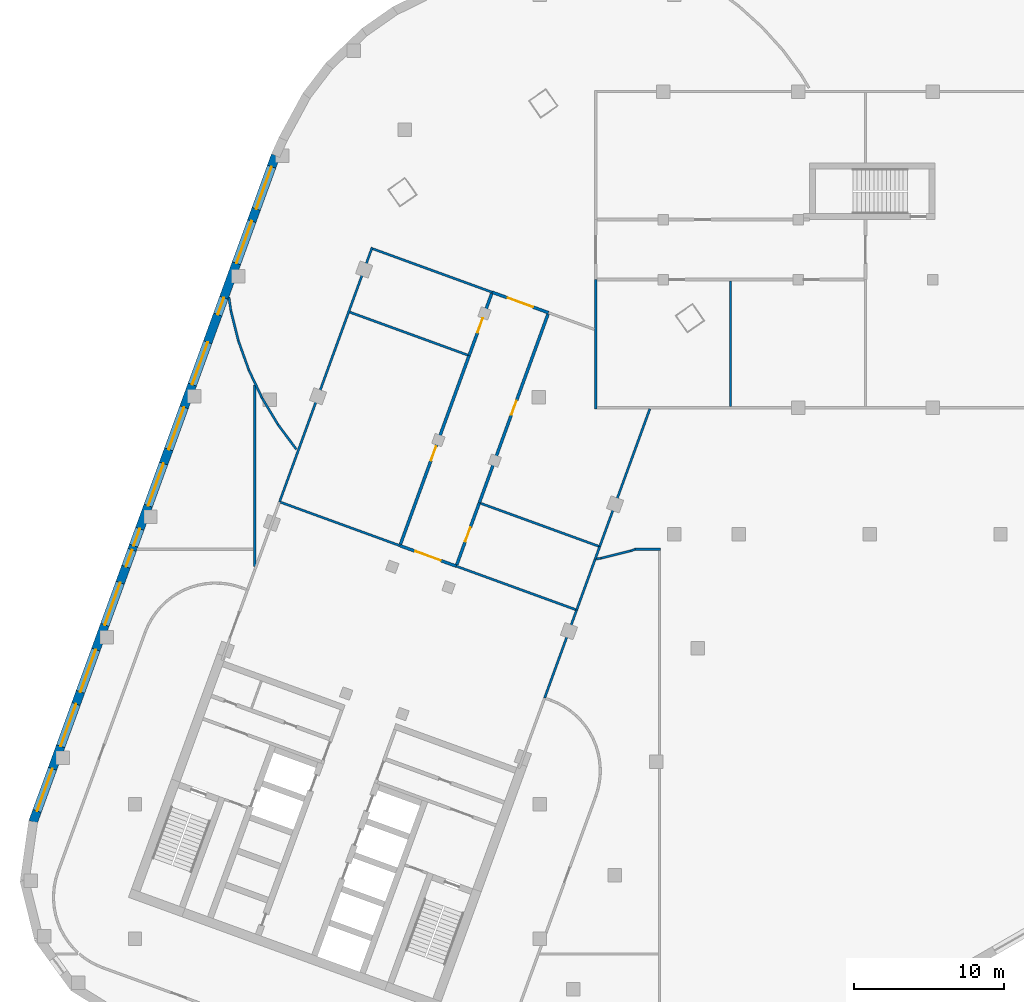
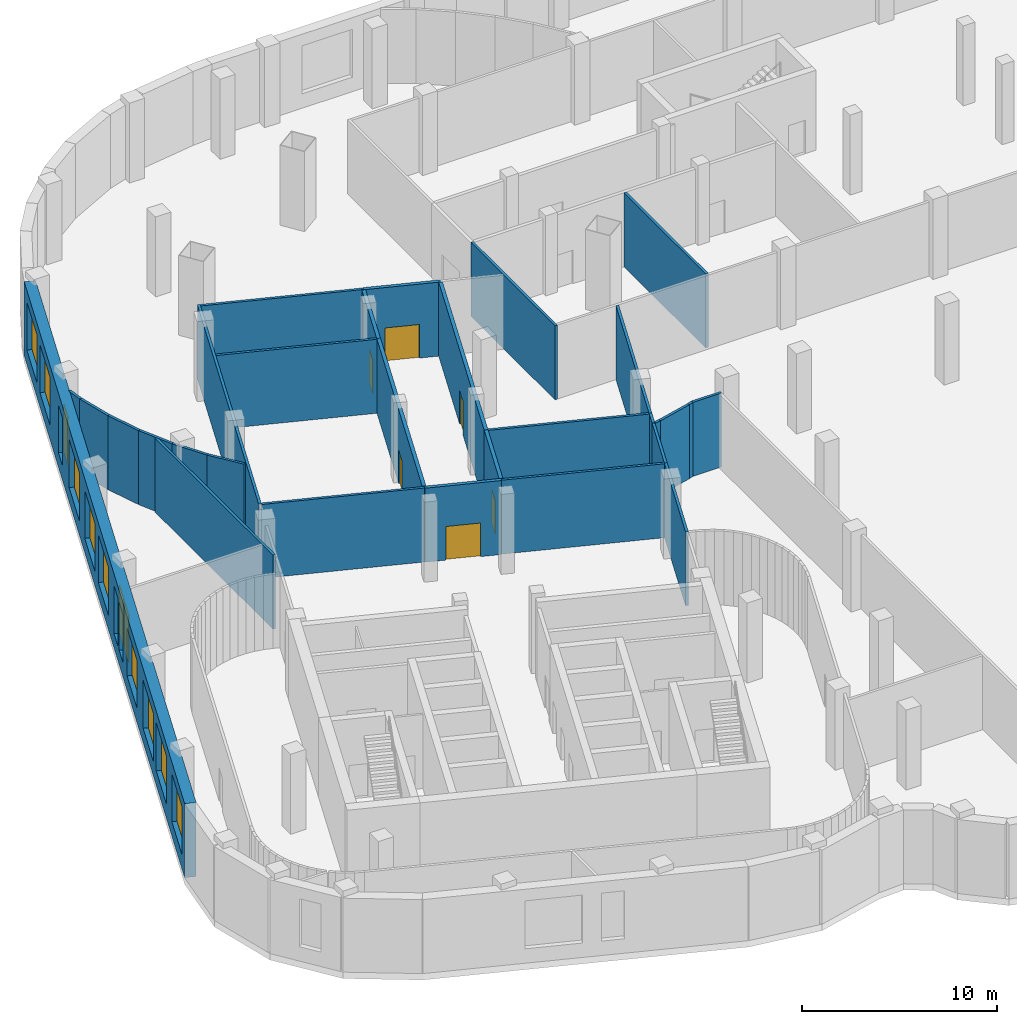
# One storey, part 6 of 18: 30 walls, 12 windows, 6 doors, 18 openings.
"""IFC4 building model written with IfcOpenShell, lengths in metres."""

from ifc_helpers import new_model, si_unit, direction, frame, frame_2d, origin, place, context, subcontext, project, spatial, rectangle, extrude, material, layer, layer_set, type_object, element, fill, save


model = new_model("IFC4")

# Units and contexts
model_context = context("Model", 3, precision=1e-05, world=origin(), true_north=direction((0.0, 1.0)))
body_context = subcontext(model_context, "Body", "Model", "MODEL_VIEW")
ifc_project = project(units=[si_unit("LENGTHUNIT", "METRE"), si_unit("AREAUNIT", "SQUARE_METRE"), si_unit("VOLUMEUNIT", "CUBIC_METRE"), si_unit("PLANEANGLEUNIT", "RADIAN"), si_unit("MASSUNIT", "GRAM", prefix="KILO")], contexts=[model_context])

# Site, building, storey
site_placement = place(None, origin())
site = spatial("IfcSite", under=ifc_project, at=site_placement, CompositionType="ELEMENT")
building_placement = place(site_placement, origin())
building = spatial("IfcBuilding", under=site, at=building_placement, Name="Skarvind Civic Tower", CompositionType="ELEMENT")
storey_placement = place(building_placement, frame((0.0, 0.0, 22.5)))
storey = spatial("IfcBuildingStorey", under=building, at=storey_placement, Name="L04", CompositionType="ELEMENT", Elevation=22.5)

# Wall, opening, door
ifc_material_1 = material(Name="Fire-rated blockwork wall, plastered", Category="masonry")
ifc_layer_1 = layer(ifc_material_1, 0.199951171875)
ifc_layer_set_1 = layer_set([ifc_layer_1], Name="FIRE WALL 200 EI 60")
wall_type_1 = type_object("IfcWallType", Name="FIRE WALL 200 EI 60", PredefinedType="PARTITIONING", material=ifc_layer_set_1)
wall_1_placement = place(storey_placement, frame((40.43994140625, 106.8779296875, 0.0), z_axis=(0.0, 0.0, 1.0), x_axis=(-0.939665029144, 0.342095941228, 0.0)))
wall_1 = element("IfcWall", 1, at=wall_1_placement, inside=storey, type_object=wall_type_1, Name="Podium partition L04 055", PredefinedType="PARTITIONING", context=body_context, shape_type="SweptSolid", body=[
    extrude(rectangle(XDim=3.999267578125, YDim=0.199951171875, at=frame_2d((1.99951171875, 0.0))), origin(), (0.0, 0.0, 1.0), 4.625),
])
opening_1_placement = place(wall_1_placement, frame((1.09912109375, 0.0, 0.0)))
opening_1 = element("IfcOpeningElement", 2, at=opening_1_placement, cuts=wall_1, Name="Opening L04-D205", PredefinedType="OPENING", context=body_context, shape_type="SweptSolid", body=[
    extrude(rectangle(XDim=1.800048828125, YDim=2.10009765625, at=frame_2d((0.89990234375, 1.050048828125))), frame((0.0, 0.10986328125, 0.0), z_axis=(0.0, -1.0, 0.0), x_axis=(1.0, 0.0, 0.0)), (0.0, 0.0, 1.0), 0.219970703125),
])
ifc_material_2 = material(Name="Painted steel fire door leaf", Category="steel")
door_type_1 = type_object("IfcDoorType", Name="FIRE DOOR 1800X2100 DOUBLE STEEL", OperationType="NOTDEFINED", PredefinedType="DOOR", material=ifc_material_2)
door_1_placement = place(opening_1_placement, origin())
door_1 = element("IfcDoor", 3, at=door_1_placement, inside=storey, type_object=door_type_1, Name="FIRE DOOR", OperationType="DOUBLE_DOOR_SINGLE_SWING", OverallHeight=2.10009765625, OverallWidth=1.800048828125, PredefinedType="DOOR", context=body_context, shape_type="SweptSolid", body=[
    extrude(rectangle(XDim=1.800048828125, YDim=2.10009765625, at=frame_2d((0.89990234375, 1.050048828125))), frame((0.0, 0.02490234375, 0.0), z_axis=(0.0, -1.0, 0.0), x_axis=(1.0, 0.0, 0.0)), (0.0, 0.0, 1.0), 0.050048828125),
])
fill(opening_1, door_1)

wall_2_placement = place(storey_placement, frame((36.716064453125, 108.340087890625, 0.0), z_axis=(0.0, 0.0, 1.0), x_axis=(0.342018071111, 0.939693375008, 0.0)))
wall_2 = element("IfcWall", 4, at=wall_2_placement, inside=storey, type_object=wall_type_1, Name="Podium partition L04 056", PredefinedType="PARTITIONING", context=body_context, shape_type="SweptSolid", body=[
    extrude(rectangle(XDim=13.39990234375, YDim=0.199951171875, at=frame_2d((6.699951171875, 0.0))), origin(), (0.0, 0.0, 1.0), 4.625),
])
opening_2_placement = place(wall_2_placement, frame((5.951904296875, 0.0, 0.0)))
opening_2 = element("IfcOpeningElement", 5, at=opening_2_placement, cuts=wall_2, Name="Opening L04-D206", PredefinedType="OPENING", context=body_context, shape_type="SweptSolid", body=[
    extrude(rectangle(XDim=1.0, YDim=2.10009765625, at=frame_2d((0.5, 1.050048828125))), frame((0.0, 0.10986328125, 0.0), z_axis=(0.0, -1.0, 0.0), x_axis=(1.0, 0.0, 0.0)), (0.0, 0.0, 1.0), 0.219970703125),
])
door_type_2 = type_object("IfcDoorType", Name="FIRE DOOR 1000X2100 STEEL", OperationType="NOTDEFINED", PredefinedType="DOOR", material=ifc_material_2)
door_2_placement = place(opening_2_placement, origin())
door_2 = element("IfcDoor", 6, at=door_2_placement, inside=storey, type_object=door_type_2, Name="FIRE DOOR", OperationType="SINGLE_SWING_LEFT", OverallHeight=2.10009765625, OverallWidth=1.0, PredefinedType="DOOR", context=body_context, shape_type="SweptSolid", body=[
    extrude(rectangle(XDim=1.0, YDim=2.10009765625, at=frame_2d((0.5, 1.050048828125))), frame((0.0, 0.02490234375, 0.0), z_axis=(0.0, -1.0, 0.0), x_axis=(1.0, 0.0, 0.0)), (0.0, 0.0, 1.0), 0.050048828125),
])
fill(opening_2, door_2)

wall_3_placement = place(storey_placement, frame((41.97998046875, 111.10595703125, 0.0), z_axis=(0.0, 0.0, 1.0), x_axis=(-0.342259834227, -0.93960534581, 0.0)))
wall_3 = element("IfcWall", 7, at=wall_3_placement, inside=storey, type_object=wall_type_1, Name="Podium partition L04 064", PredefinedType="PARTITIONING", context=body_context, shape_type="SweptSolid", body=[
    extrude(rectangle(XDim=4.399658203125, YDim=0.199951171875, at=frame_2d((2.19970703125, 0.0))), origin(), (0.0, 0.0, 1.0), 4.625),
])
opening_3_placement = place(wall_3_placement, frame((1.748046875, 0.0, 0.0)))
opening_3 = element("IfcOpeningElement", 8, at=opening_3_placement, cuts=wall_3, Name="Opening L04-D207", PredefinedType="OPENING", context=body_context, shape_type="SweptSolid", body=[
    extrude(rectangle(XDim=1.0, YDim=2.10009765625, at=frame_2d((0.5, 1.050048828125))), frame((0.0, 0.10986328125, 0.0), z_axis=(0.0, -1.0, 0.0), x_axis=(1.0, 0.0, 0.0)), (0.0, 0.0, 1.0), 0.219970703125),
])
door_3_placement = place(opening_3_placement, origin())
door_3 = element("IfcDoor", 9, at=door_3_placement, inside=storey, type_object=door_type_2, Name="FIRE DOOR", OperationType="SINGLE_SWING_RIGHT", OverallHeight=2.10009765625, OverallWidth=1.0, PredefinedType="DOOR", context=body_context, shape_type="SweptSolid", body=[
    extrude(rectangle(XDim=1.0, YDim=2.10009765625, at=frame_2d((0.5, 1.050048828125))), frame((0.0, 0.02490234375, 0.0), z_axis=(0.0, -1.0, 0.0), x_axis=(1.0, 0.0, 0.0)), (0.0, 0.0, 1.0), 0.050048828125),
])
fill(opening_3, door_3)

wall_4_placement = place(storey_placement, frame((41.299072265625, 120.931884765625, 0.0), z_axis=(0.0, 0.0, 1.0), x_axis=(0.342063854115, 0.939676710208, 0.0)))
wall_4 = element("IfcWall", 10, at=wall_4_placement, inside=storey, type_object=wall_type_1, Name="Podium partition L04 067", PredefinedType="PARTITIONING", context=body_context, shape_type="SweptSolid", body=[
    extrude(rectangle(XDim=4.3994140625, YDim=0.199951171875, at=frame_2d((2.19970703125, 0.0))), origin(), (0.0, 0.0, 1.0), 4.625),
])
opening_4_placement = place(wall_4_placement, frame((1.64794921875, 0.0, 0.0)))
opening_4 = element("IfcOpeningElement", 11, at=opening_4_placement, cuts=wall_4, Name="Opening L04-D208", PredefinedType="OPENING", context=body_context, shape_type="SweptSolid", body=[
    extrude(rectangle(XDim=1.0, YDim=2.10009765625, at=frame_2d((0.5, 1.050048828125))), frame((0.0, 0.10986328125, 0.0), z_axis=(0.0, -1.0, 0.0), x_axis=(1.0, 0.0, 0.0)), (0.0, 0.0, 1.0), 0.219970703125),
])
door_4_placement = place(opening_4_placement, origin())
door_4 = element("IfcDoor", 12, at=door_4_placement, inside=storey, type_object=door_type_2, Name="FIRE DOOR", OperationType="SINGLE_SWING_LEFT", OverallHeight=2.10009765625, OverallWidth=1.0, PredefinedType="DOOR", context=body_context, shape_type="SweptSolid", body=[
    extrude(rectangle(XDim=1.0, YDim=2.10009765625, at=frame_2d((0.5, 1.050048828125))), frame((0.0, 0.02490234375, 0.0), z_axis=(0.0, -1.0, 0.0), x_axis=(1.0, 0.0, 0.0)), (0.0, 0.0, 1.0), 0.050048828125),
])
fill(opening_4, door_4)

wall_5_placement = place(storey_placement, frame((46.56298828125, 123.697998046875, 0.0), z_axis=(0.0, 0.0, 1.0), x_axis=(-0.342012215574, -0.939695506214, 0.0)))
wall_5 = element("IfcWall", 13, at=wall_5_placement, inside=storey, type_object=wall_type_1, Name="Podium partition L04 070", PredefinedType="PARTITIONING", context=body_context, shape_type="SweptSolid", body=[
    extrude(rectangle(XDim=13.400146484375, YDim=0.199951171875, at=frame_2d((6.7001953125, 0.0))), origin(), (0.0, 0.0, 1.0), 4.625),
])
opening_5_placement = place(wall_5_placement, frame((6.152099609375, 0.0, 0.0)))
opening_5 = element("IfcOpeningElement", 14, at=opening_5_placement, cuts=wall_5, Name="Opening L04-D209", PredefinedType="OPENING", context=body_context, shape_type="SweptSolid", body=[
    extrude(rectangle(XDim=1.0, YDim=2.10009765625, at=frame_2d((0.5, 1.050048828125))), frame((0.0, 0.10986328125, 0.0), z_axis=(0.0, -1.0, 0.0), x_axis=(1.0, 0.0, 0.0)), (0.0, 0.0, 1.0), 0.219970703125),
])
door_5_placement = place(opening_5_placement, origin())
door_5 = element("IfcDoor", 15, at=door_5_placement, inside=storey, type_object=door_type_2, Name="FIRE DOOR", OperationType="SINGLE_SWING_LEFT", OverallHeight=2.10009765625, OverallWidth=1.0, PredefinedType="DOOR", context=body_context, shape_type="SweptSolid", body=[
    extrude(rectangle(XDim=1.0, YDim=2.10009765625, at=frame_2d((0.5, 1.050048828125))), frame((0.0, 0.02490234375, 0.0), z_axis=(0.0, -1.0, 0.0), x_axis=(1.0, 0.0, 0.0)), (0.0, 0.0, 1.0), 0.050048828125),
])
fill(opening_5, door_5)

wall_6_placement = place(storey_placement, frame((42.837890625, 125.159912109375, 0.0), z_axis=(0.0, 0.0, 1.0), x_axis=(0.939713209288, -0.341963571582, 0.0)))
wall_6 = element("IfcWall", 16, at=wall_6_placement, inside=storey, type_object=wall_type_1, Name="Podium partition L04 074", PredefinedType="PARTITIONING", context=body_context, shape_type="SweptSolid", body=[
    extrude(rectangle(XDim=4.000244140625, YDim=0.199951171875, at=frame_2d((2.0, 0.0))), origin(), (0.0, 0.0, 1.0), 4.625),
])
opening_6_placement = place(wall_6_placement, frame((1.10009765625, 0.0, 0.0)))
opening_6 = element("IfcOpeningElement", 17, at=opening_6_placement, cuts=wall_6, Name="Opening L04-D210", PredefinedType="OPENING", context=body_context, shape_type="SweptSolid", body=[
    extrude(rectangle(XDim=1.800048828125, YDim=2.10009765625, at=frame_2d((0.89990234375, 1.050048828125))), frame((0.0, 0.10986328125, 0.0), z_axis=(0.0, -1.0, 0.0), x_axis=(1.0, 0.0, 0.0)), (0.0, 0.0, 1.0), 0.219970703125),
])
door_6_placement = place(opening_6_placement, origin())
door_6 = element("IfcDoor", 18, at=door_6_placement, inside=storey, type_object=door_type_1, Name="FIRE DOOR", OperationType="DOUBLE_DOOR_SINGLE_SWING", OverallHeight=2.10009765625, OverallWidth=1.800048828125, PredefinedType="DOOR", context=body_context, shape_type="SweptSolid", body=[
    extrude(rectangle(XDim=1.800048828125, YDim=2.10009765625, at=frame_2d((0.89990234375, 1.050048828125))), frame((0.0, 0.02490234375, 0.0), z_axis=(0.0, -1.0, 0.0), x_axis=(1.0, 0.0, 0.0)), (0.0, 0.0, 1.0), 0.050048828125),
])
fill(opening_6, door_6)

# Walls
ifc_material_3 = material(Name="Plasterboard partition on steel studs", Category="steel")
ifc_layer_2 = layer(ifc_material_3, 0.14990234375)
ifc_layer_set_2 = layer_set([ifc_layer_2], Name="PARTITION 150")
wall_type_2 = type_object("IfcWallType", Name="PARTITION 150", PredefinedType="PARTITIONING", material=ifc_layer_set_2)
wall_7_placement = place(storey_placement, frame((25.26611328125, 124.8310546875, 0.0), z_axis=(0.0, 0.0, 1.0), x_axis=(0.147402970256, -0.989076520983, 0.0)))
element("IfcWall", 19, at=wall_7_placement, inside=storey, type_object=wall_type_2, Name="Podium partition L04 038", PredefinedType="PARTITIONING", context=body_context, shape_type="SweptSolid", body=[
    extrude(rectangle(XDim=0.9423828125, YDim=0.14990234375, at=frame_2d((0.47119140625, 0.0))), origin(), (0.0, 0.0, 1.0), 4.625),
])
wall_8_placement = place(storey_placement, frame((25.403076171875, 123.906982421875, 0.0), z_axis=(0.0, 0.0, 1.0), x_axis=(0.24261892201, -0.970121672102, 0.0)))
element("IfcWall", 20, at=wall_8_placement, inside=storey, type_object=wall_type_2, Name="Podium partition L04 039", PredefinedType="PARTITIONING", context=body_context, shape_type="SweptSolid", body=[
    extrude(rectangle(XDim=2.06884765625, YDim=0.14990234375, at=frame_2d((1.034423828125, 0.0))), origin(), (0.0, 0.0, 1.0), 4.625),
])
wall_9_placement = place(storey_placement, frame((25.903076171875, 121.906982421875, 0.0), z_axis=(0.0, 0.0, 1.0), x_axis=(0.337196677173, -0.941434225479, 0.0)))
element("IfcWall", 21, at=wall_9_placement, inside=storey, type_object=wall_type_2, Name="Podium partition L04 041", PredefinedType="PARTITIONING", context=body_context, shape_type="SweptSolid", body=[
    extrude(rectangle(XDim=2.067138671875, YDim=0.14990234375, at=frame_2d((1.03369140625, 0.0))), origin(), (0.0, 0.0, 1.0), 4.625),
])
wall_10_placement = place(storey_placement, frame((26.596923828125, 119.967041015625, 0.0), z_axis=(0.0, 0.0, 1.0), x_axis=(0.42793917446, -0.90380753646, 0.0)))
element("IfcWall", 22, at=wall_10_placement, inside=storey, type_object=wall_type_2, Name="Podium partition L04 044", PredefinedType="PARTITIONING", context=body_context, shape_type="SweptSolid", body=[
    extrude(rectangle(XDim=2.068115234375, YDim=0.14990234375, at=frame_2d((1.0341796875, 0.0))), origin(), (0.0, 0.0, 1.0), 4.625),
])
wall_11_placement = place(storey_placement, frame((27.0, 106.85791015625, 0.0), z_axis=(0.0, 0.0, 1.0), x_axis=(0.0, 1.0, 0.0)))
element("IfcWall", 23, at=wall_11_placement, inside=storey, type_object=wall_type_2, Name="Podium partition L04 046", PredefinedType="PARTITIONING", context=body_context, shape_type="SweptSolid", body=[
    extrude(rectangle(XDim=12.10302734375, YDim=0.14990234375, at=frame_2d((6.051513671875, 0.0))), origin(), (0.0, 0.0, 1.0), 4.625),
])
wall_12_placement = place(storey_placement, frame((27.47802734375, 118.10400390625, 0.0), z_axis=(0.0, 0.0, 1.0), x_axis=(0.514009565734, -0.857784452141, 0.0)))
element("IfcWall", 24, at=wall_12_placement, inside=storey, type_object=wall_type_2, Name="Podium partition L04 048", PredefinedType="PARTITIONING", context=body_context, shape_type="SweptSolid", body=[
    extrude(rectangle(XDim=2.068115234375, YDim=0.14990234375, at=frame_2d((1.0341796875, 0.0))), origin(), (0.0, 0.0, 1.0), 4.625),
])
wall_13_placement = place(storey_placement, frame((28.537109375, 116.3359375, 0.0), z_axis=(0.0, 0.0, 1.0), x_axis=(0.595741297031, -0.80317638599, 0.0)))
element("IfcWall", 25, at=wall_13_placement, inside=storey, type_object=wall_type_2, Name="Podium partition L04 049", PredefinedType="PARTITIONING", context=body_context, shape_type="SweptSolid", body=[
    extrude(rectangle(XDim=2.06787109375, YDim=0.14990234375, at=frame_2d((1.033935546875, 0.0))), origin(), (0.0, 0.0, 1.0), 4.625),
])
wall_14_placement = place(storey_placement, frame((28.64697265625, 111.169921875, 0.0), z_axis=(0.0, 0.0, 1.0), x_axis=(0.342087921954, 0.939667948614, 0.0)))
element("IfcWall", 26, at=wall_14_placement, inside=storey, type_object=wall_type_2, Name="Podium partition L04 050", PredefinedType="PARTITIONING", context=body_context, shape_type="SweptSolid", body=[
    extrude(rectangle(XDim=18.07470703125, YDim=0.14990234375, at=frame_2d((9.037353515625, 0.0))), origin(), (0.0, 0.0, 1.0), 4.625),
])
wall_15_placement = place(storey_placement, frame((28.717041015625, 111.14404296875, 0.0), z_axis=(0.0, 0.0, 1.0), x_axis=(0.939731172492, -0.341914204803, 0.0)))
element("IfcWall", 27, at=wall_15_placement, inside=storey, type_object=wall_type_2, Name="Podium partition L04 051", PredefinedType="PARTITIONING", context=body_context, shape_type="SweptSolid", body=[
    extrude(rectangle(XDim=8.4755859375, YDim=0.14990234375, at=frame_2d((4.23779296875, 0.0))), origin(), (0.0, 0.0, 1.0), 4.625),
])
wall_16_placement = place(storey_placement, frame((33.3349609375, 123.830078125, 0.0), z_axis=(0.0, 0.0, 1.0), x_axis=(0.939710837098, -0.341970090272, 0.0)))
element("IfcWall", 28, at=wall_16_placement, inside=storey, type_object=wall_type_2, Name="Podium partition L04 053", PredefinedType="PARTITIONING", context=body_context, shape_type="SweptSolid", body=[
    extrude(rectangle(XDim=8.375, YDim=0.14990234375, at=frame_2d((4.1875, 0.0))), origin(), (0.0, 0.0, 1.0), 4.625),
])
wall_17_placement = place(storey_placement, frame((34.8740234375, 128.05810546875, 0.0), z_axis=(0.0, 0.0, 1.0), x_axis=(0.939708443164, -0.341976668571, 0.0)))
element("IfcWall", 29, at=wall_17_placement, inside=storey, type_object=wall_type_2, Name="Podium partition L04 054", PredefinedType="PARTITIONING", context=body_context, shape_type="SweptSolid", body=[
    extrude(rectangle(XDim=8.474853515625, YDim=0.14990234375, at=frame_2d((4.2373046875, 0.0))), origin(), (0.0, 0.0, 1.0), 4.625),
])
wall_18_placement = place(storey_placement, frame((40.43994140625, 106.8779296875, 0.0), z_axis=(0.0, 0.0, 1.0), x_axis=(0.939697516706, -0.342006691597, 0.0)))
element("IfcWall", 30, at=wall_18_placement, inside=storey, type_object=wall_type_2, Name="Podium partition L04 065", PredefinedType="PARTITIONING", context=body_context, shape_type="SweptSolid", body=[
    extrude(rectangle(XDim=8.476318359375, YDim=0.14990234375, at=frame_2d((4.23828125, 0.0))), origin(), (0.0, 0.0, 1.0), 4.625),
])
wall_19_placement = place(storey_placement, frame((42.073974609375, 111.072021484375, 0.0), z_axis=(0.0, 0.0, 1.0), x_axis=(0.939710837098, -0.341970090272, 0.0)))
element("IfcWall", 31, at=wall_19_placement, inside=storey, type_object=wall_type_2, Name="Podium partition L04 071", PredefinedType="PARTITIONING", context=body_context, shape_type="SweptSolid", body=[
    extrude(rectangle(XDim=8.375, YDim=0.14990234375, at=frame_2d((4.1875, 0.0))), origin(), (0.0, 0.0, 1.0), 4.625),
])
wall_20_placement = place(storey_placement, frame((46.3369140625, 98.080078125, 0.0), z_axis=(0.0, 0.0, 1.0), x_axis=(0.342113136459, 0.939658768842, 0.0)))
element("IfcWall", 32, at=wall_20_placement, inside=storey, type_object=wall_type_2, Name="Podium partition L04 083", PredefinedType="PARTITIONING", context=body_context, shape_type="SweptSolid", body=[
    extrude(rectangle(XDim=6.25, YDim=0.14990234375, at=frame_2d((3.125, 0.0))), origin(), (0.0, 0.0, 1.0), 4.625),
])
wall_21_placement = place(storey_placement, frame((48.47509765625, 103.952880859375, 0.0), z_axis=(0.0, 0.0, 1.0), x_axis=(0.341992779494, 0.939702579955, 0.0)))
element("IfcWall", 33, at=wall_21_placement, inside=storey, type_object=wall_type_2, Name="Podium partition L04 090", PredefinedType="PARTITIONING", context=body_context, shape_type="SweptSolid", body=[
    extrude(rectangle(XDim=3.61083984375, YDim=0.14990234375, at=frame_2d((1.805419921875, 0.0))), origin(), (0.0, 0.0, 1.0), 4.625),
])
wall_22_placement = place(storey_placement, frame((49.7099609375, 107.345947265625, 0.0), z_axis=(0.0, 0.0, 1.0), x_axis=(0.341721024877, 0.93980143709, 0.0)))
element("IfcWall", 34, at=wall_22_placement, inside=storey, type_object=wall_type_2, Name="Podium partition L04 095", PredefinedType="PARTITIONING", context=body_context, shape_type="SweptSolid", body=[
    extrude(rectangle(XDim=0.889404296875, YDim=0.14990234375, at=frame_2d((0.44482421875, 0.0))), origin(), (0.0, 0.0, 1.0), 4.625),
])
wall_23_placement = place(storey_placement, frame((49.7939453125, 107.35888671875, 0.0), z_axis=(0.0, 0.0, 1.0), x_axis=(0.988901730308, 0.148571086668, 0.0)))
element("IfcWall", 35, at=wall_23_placement, inside=storey, type_object=wall_type_2, Name="Podium partition L04 096", PredefinedType="PARTITIONING", context=body_context, shape_type="SweptSolid", body=[
    extrude(rectangle(XDim=0.310546875, YDim=0.14990234375, at=frame_2d((0.1552734375, 0.0))), origin(), (0.0, 0.0, 1.0), 4.625),
])
wall_24_placement = place(storey_placement, frame((49.75, 117.375, 0.0), z_axis=(0.0, 0.0, 1.0), x_axis=(0.0, 1.0, 0.0)))
element("IfcWall", 36, at=wall_24_placement, inside=storey, type_object=wall_type_2, Name="Podium partition L04 098", PredefinedType="PARTITIONING", context=body_context, shape_type="SweptSolid", body=[
    extrude(rectangle(XDim=8.625, YDim=0.14990234375, at=frame_2d((4.3125, 0.0))), origin(), (0.0, 0.0, 1.0), 4.625),
])
wall_25_placement = place(storey_placement, frame((50.013916015625, 108.181884765625, 0.0), z_axis=(0.0, 0.0, 1.0), x_axis=(0.342035586721, 0.939686999706, 0.0)))
element("IfcWall", 37, at=wall_25_placement, inside=storey, type_object=wall_type_2, Name="Podium partition L04 110", PredefinedType="PARTITIONING", context=body_context, shape_type="SweptSolid", body=[
    extrude(rectangle(XDim=9.783203125, YDim=0.14990234375, at=frame_2d((4.8916015625, 0.0))), origin(), (0.0, 0.0, 1.0), 4.625),
])
wall_26_placement = place(storey_placement, frame((50.093017578125, 107.403076171875, 0.0), z_axis=(0.0, 0.0, 1.0), x_axis=(0.970121672102, 0.24261892201, 0.0)))
element("IfcWall", 38, at=wall_26_placement, inside=storey, type_object=wall_type_2, Name="Podium partition L04 112", PredefinedType="PARTITIONING", context=body_context, shape_type="SweptSolid", body=[
    extrude(rectangle(XDim=2.06884765625, YDim=0.14990234375, at=frame_2d((1.034423828125, 0.0))), origin(), (0.0, 0.0, 1.0), 4.625),
])
wall_27_placement = place(storey_placement, frame((52.093017578125, 107.903076171875, 0.0), z_axis=(0.0, 0.0, 1.0), x_axis=(0.941980718737, 0.335666986056, 0.0)))
element("IfcWall", 39, at=wall_27_placement, inside=storey, type_object=wall_type_2, Name="Podium partition L04 113", PredefinedType="PARTITIONING", context=body_context, shape_type="SweptSolid", body=[
    extrude(rectangle(XDim=0.30029296875, YDim=0.14990234375, at=frame_2d((0.150146484375, 0.0))), origin(), (0.0, 0.0, 1.0), 4.625),
])
wall_28_placement = place(storey_placement, frame((52.35107421875, 108.0, 0.0), z_axis=(0.0, 0.0, 1.0), x_axis=(1.0, 0.0, 0.0)))
element("IfcWall", 40, at=wall_28_placement, inside=storey, type_object=wall_type_2, Name="Podium partition L04 114", PredefinedType="PARTITIONING", context=body_context, shape_type="SweptSolid", body=[
    extrude(rectangle(XDim=1.723876953125, YDim=0.14990234375, at=frame_2d((0.86181640625, 0.0))), origin(), (0.0, 0.0, 1.0), 4.625),
])
wall_29_placement = place(storey_placement, frame((58.75, 117.52490234375, 0.0), z_axis=(0.0, 0.0, 1.0), x_axis=(0.0, 1.0, 0.0)))
element("IfcWall", 41, at=wall_29_placement, inside=storey, type_object=wall_type_2, Name="Podium partition L04 118", PredefinedType="PARTITIONING", context=body_context, shape_type="SweptSolid", body=[
    extrude(rectangle(XDim=8.375, YDim=0.14990234375, at=frame_2d((4.1875, 0.0))), origin(), (0.0, 0.0, 1.0), 4.625),
])

# Wall, openings, windows
ifc_material_4 = material(Name="Limestone masonry cladding on insulated backing", Category="masonry")
ifc_layer_3 = layer(ifc_material_4, 0.60009765625)
ifc_layer_set_3 = layer_set([ifc_layer_3], Name="WX1 STONE FACADE WALL 600")
wall_type_3 = type_object("IfcWallType", Name="WX1 STONE FACADE WALL 600", PredefinedType="SOLIDWALL", material=ifc_layer_set_3)
wall_30_placement = place(storey_placement, frame((12.199462890625, 89.80908203125, 0.0), z_axis=(0.0, 0.0, 1.0), x_axis=(0.342022998908, 0.939691581434, 0.0)))
wall_30 = element("IfcWall", 42, at=wall_30_placement, inside=storey, type_object=wall_type_3, Name="STONE FACADE WALL", PredefinedType="SOLIDWALL", context=body_context, shape_type="SweptSolid", body=[
    extrude(rectangle(XDim=47.33447265625, YDim=0.60009765625, at=frame_2d((23.667236328125, 0.0))), origin(), (0.0, 0.0, 1.0), 4.625),
])
opening_7_placement = place(wall_30_placement, frame((0.77294921875, 0.0, 0.89990234375)))
opening_7 = element("IfcOpeningElement", 43, at=opening_7_placement, cuts=wall_30, Name="Opening WN2", PredefinedType="OPENING", context=body_context, shape_type="SweptSolid", body=[
    extrude(rectangle(XDim=3.0, YDim=3.0, at=frame_2d((1.5, 1.5))), frame((0.0, 0.31005859375, 0.0), z_axis=(0.0, -1.0, 0.0), x_axis=(1.0, 0.0, 0.0)), (0.0, 0.0, 1.0), 0.6201171875),
])
opening_8_placement = place(wall_30_placement, frame((5.37890625, 0.0, 0.89990234375)))
opening_8 = element("IfcOpeningElement", 44, at=opening_8_placement, cuts=wall_30, Name="Opening WN2", PredefinedType="OPENING", context=body_context, shape_type="SweptSolid", body=[
    extrude(rectangle(XDim=3.0, YDim=3.0, at=frame_2d((1.5, 1.5))), frame((0.0, 0.31005859375, 0.0), z_axis=(0.0, -1.0, 0.0), x_axis=(1.0, 0.0, 0.0)), (0.0, 0.0, 1.0), 0.6201171875),
])
opening_9_placement = place(wall_30_placement, frame((9.234619140625, 0.0, 0.89990234375)))
opening_9 = element("IfcOpeningElement", 45, at=opening_9_placement, cuts=wall_30, Name="Opening WN2", PredefinedType="OPENING", context=body_context, shape_type="SweptSolid", body=[
    extrude(rectangle(XDim=3.0, YDim=3.0, at=frame_2d((1.5, 1.5))), frame((0.0, 0.31005859375, 0.0), z_axis=(0.0, -1.0, 0.0), x_axis=(1.0, 0.0, 0.0)), (0.0, 0.0, 1.0), 0.6201171875),
])
opening_10_placement = place(wall_30_placement, frame((13.990478515625, 0.0, 0.89990234375)))
opening_10 = element("IfcOpeningElement", 46, at=opening_10_placement, cuts=wall_30, Name="Opening WN2", PredefinedType="OPENING", context=body_context, shape_type="SweptSolid", body=[
    extrude(rectangle(XDim=3.0, YDim=3.0, at=frame_2d((1.5, 1.5))), frame((0.0, 0.31005859375, 0.0), z_axis=(0.0, -1.0, 0.0), x_axis=(1.0, 0.0, 0.0)), (0.0, 0.0, 1.0), 0.6201171875),
])
opening_11_placement = place(wall_30_placement, frame((18.11767578125, 0.0, 0.89990234375)))
opening_11 = element("IfcOpeningElement", 47, at=opening_11_placement, cuts=wall_30, Name="Opening WN6", PredefinedType="OPENING", context=body_context, shape_type="SweptSolid", body=[
    extrude(rectangle(XDim=1.199951171875, YDim=3.0, at=frame_2d((0.60009765625, 1.5))), frame((0.0, 0.31005859375, 0.0), z_axis=(0.0, -1.0, 0.0), x_axis=(1.0, 0.0, 0.0)), (0.0, 0.0, 1.0), 0.6201171875),
])
opening_12_placement = place(wall_30_placement, frame((19.61767578125, 0.0, 0.89990234375)))
opening_12 = element("IfcOpeningElement", 48, at=opening_12_placement, cuts=wall_30, Name="Opening WN6", PredefinedType="OPENING", context=body_context, shape_type="SweptSolid", body=[
    extrude(rectangle(XDim=1.199951171875, YDim=3.0, at=frame_2d((0.60009765625, 1.5))), frame((0.0, 0.31005859375, 0.0), z_axis=(0.0, -1.0, 0.0), x_axis=(1.0, 0.0, 0.0)), (0.0, 0.0, 1.0), 0.6201171875),
])
opening_13_placement = place(wall_30_placement, frame((22.4521484375, 0.0, 0.89990234375)))
opening_13 = element("IfcOpeningElement", 49, at=opening_13_placement, cuts=wall_30, Name="Opening WN2", PredefinedType="OPENING", context=body_context, shape_type="SweptSolid", body=[
    extrude(rectangle(XDim=3.0, YDim=3.0, at=frame_2d((1.5, 1.5))), frame((0.0, 0.31005859375, 0.0), z_axis=(0.0, -1.0, 0.0), x_axis=(1.0, 0.0, 0.0)), (0.0, 0.0, 1.0), 0.6201171875),
])
opening_14_placement = place(wall_30_placement, frame((26.4580078125, 0.0, 0.89990234375)))
opening_14 = element("IfcOpeningElement", 50, at=opening_14_placement, cuts=wall_30, Name="Opening WN2", PredefinedType="OPENING", context=body_context, shape_type="SweptSolid", body=[
    extrude(rectangle(XDim=3.0, YDim=3.0, at=frame_2d((1.5, 1.5))), frame((0.0, 0.31005859375, 0.0), z_axis=(0.0, -1.0, 0.0), x_axis=(1.0, 0.0, 0.0)), (0.0, 0.0, 1.0), 0.6201171875),
])
opening_15_placement = place(wall_30_placement, frame((31.063720703125, 0.0, 0.89990234375)))
opening_15 = element("IfcOpeningElement", 51, at=opening_15_placement, cuts=wall_30, Name="Opening WN2", PredefinedType="OPENING", context=body_context, shape_type="SweptSolid", body=[
    extrude(rectangle(XDim=3.0, YDim=3.0, at=frame_2d((1.5, 1.5))), frame((0.0, 0.31005859375, 0.0), z_axis=(0.0, -1.0, 0.0), x_axis=(1.0, 0.0, 0.0)), (0.0, 0.0, 1.0), 0.6201171875),
])
opening_16_placement = place(wall_30_placement, frame((36.02880859375, 0.0, 0.89990234375)))
opening_16 = element("IfcOpeningElement", 52, at=opening_16_placement, cuts=wall_30, Name="Opening WN6", PredefinedType="OPENING", context=body_context, shape_type="SweptSolid", body=[
    extrude(rectangle(XDim=1.199951171875, YDim=3.0, at=frame_2d((0.60009765625, 1.5))), frame((0.0, 0.31005859375, 0.0), z_axis=(0.0, -1.0, 0.0), x_axis=(1.0, 0.0, 0.0)), (0.0, 0.0, 1.0), 0.6201171875),
])
opening_17_placement = place(wall_30_placement, frame((39.675537109375, 0.0, 0.89990234375)))
opening_17 = element("IfcOpeningElement", 53, at=opening_17_placement, cuts=wall_30, Name="Opening WN2", PredefinedType="OPENING", context=body_context, shape_type="SweptSolid", body=[
    extrude(rectangle(XDim=3.0, YDim=3.0, at=frame_2d((1.5, 1.5))), frame((0.0, 0.31005859375, 0.0), z_axis=(0.0, -1.0, 0.0), x_axis=(1.0, 0.0, 0.0)), (0.0, 0.0, 1.0), 0.6201171875),
])
opening_18_placement = place(wall_30_placement, frame((43.531494140625, 0.0, 0.89990234375)))
opening_18 = element("IfcOpeningElement", 54, at=opening_18_placement, cuts=wall_30, Name="Opening WN2", PredefinedType="OPENING", context=body_context, shape_type="SweptSolid", body=[
    extrude(rectangle(XDim=3.0, YDim=3.0, at=frame_2d((1.5, 1.5))), frame((0.0, 0.31005859375, 0.0), z_axis=(0.0, -1.0, 0.0), x_axis=(1.0, 0.0, 0.0)), (0.0, 0.0, 1.0), 0.6201171875),
])
ifc_material_5 = material(Name="Timber frame, double glazing, timber-lined reveal", Category="wood")
window_type_1 = type_object("IfcWindowType", Name="WN2 PODIUM STONE WINDOW 3000 x 3000", PartitioningType="SINGLE_PANEL", PredefinedType="WINDOW", material=ifc_material_5)
window_1_placement = place(opening_7_placement, origin())
window_1 = element("IfcWindow", 55, at=window_1_placement, inside=storey, type_object=window_type_1, Name="WN2 WINDOW", OverallHeight=3.0, OverallWidth=3.0, PartitioningType="SINGLE_PANEL", PredefinedType="WINDOW", context=body_context, shape_type="SweptSolid", body=[
    extrude(rectangle(XDim=3.0, YDim=3.0, at=frame_2d((1.5, 1.5))), frame((0.0, 0.030029296875, 0.0), z_axis=(0.0, -1.0, 0.0), x_axis=(1.0, 0.0, 0.0)), (0.0, 0.0, 1.0), 0.06005859375),
])
fill(opening_7, window_1)
window_2_placement = place(opening_8_placement, origin())
window_2 = element("IfcWindow", 56, at=window_2_placement, inside=storey, type_object=window_type_1, Name="WN2 WINDOW", OverallHeight=3.0, OverallWidth=3.0, PartitioningType="SINGLE_PANEL", PredefinedType="WINDOW", context=body_context, shape_type="SweptSolid", body=[
    extrude(rectangle(XDim=3.0, YDim=3.0, at=frame_2d((1.5, 1.5))), frame((0.0, 0.030029296875, 0.0), z_axis=(0.0, -1.0, 0.0), x_axis=(1.0, 0.0, 0.0)), (0.0, 0.0, 1.0), 0.06005859375),
])
fill(opening_8, window_2)
window_3_placement = place(opening_9_placement, origin())
window_3 = element("IfcWindow", 57, at=window_3_placement, inside=storey, type_object=window_type_1, Name="WN2 WINDOW", OverallHeight=3.0, OverallWidth=3.0, PartitioningType="SINGLE_PANEL", PredefinedType="WINDOW", context=body_context, shape_type="SweptSolid", body=[
    extrude(rectangle(XDim=3.0, YDim=3.0, at=frame_2d((1.5, 1.5))), frame((0.0, 0.030029296875, 0.0), z_axis=(0.0, -1.0, 0.0), x_axis=(1.0, 0.0, 0.0)), (0.0, 0.0, 1.0), 0.06005859375),
])
fill(opening_9, window_3)
window_4_placement = place(opening_10_placement, origin())
window_4 = element("IfcWindow", 58, at=window_4_placement, inside=storey, type_object=window_type_1, Name="WN2 WINDOW", OverallHeight=3.0, OverallWidth=3.0, PartitioningType="SINGLE_PANEL", PredefinedType="WINDOW", context=body_context, shape_type="SweptSolid", body=[
    extrude(rectangle(XDim=3.0, YDim=3.0, at=frame_2d((1.5, 1.5))), frame((0.0, 0.030029296875, 0.0), z_axis=(0.0, -1.0, 0.0), x_axis=(1.0, 0.0, 0.0)), (0.0, 0.0, 1.0), 0.06005859375),
])
fill(opening_10, window_4)
window_5_placement = place(opening_13_placement, origin())
window_5 = element("IfcWindow", 59, at=window_5_placement, inside=storey, type_object=window_type_1, Name="WN2 WINDOW", OverallHeight=3.0, OverallWidth=3.0, PartitioningType="SINGLE_PANEL", PredefinedType="WINDOW", context=body_context, shape_type="SweptSolid", body=[
    extrude(rectangle(XDim=3.0, YDim=3.0, at=frame_2d((1.5, 1.5))), frame((0.0, 0.030029296875, 0.0), z_axis=(0.0, -1.0, 0.0), x_axis=(1.0, 0.0, 0.0)), (0.0, 0.0, 1.0), 0.06005859375),
])
fill(opening_13, window_5)
window_6_placement = place(opening_14_placement, origin())
window_6 = element("IfcWindow", 60, at=window_6_placement, inside=storey, type_object=window_type_1, Name="WN2 WINDOW", OverallHeight=3.0, OverallWidth=3.0, PartitioningType="SINGLE_PANEL", PredefinedType="WINDOW", context=body_context, shape_type="SweptSolid", body=[
    extrude(rectangle(XDim=3.0, YDim=3.0, at=frame_2d((1.5, 1.5))), frame((0.0, 0.030029296875, 0.0), z_axis=(0.0, -1.0, 0.0), x_axis=(1.0, 0.0, 0.0)), (0.0, 0.0, 1.0), 0.06005859375),
])
fill(opening_14, window_6)
window_7_placement = place(opening_15_placement, origin())
window_7 = element("IfcWindow", 61, at=window_7_placement, inside=storey, type_object=window_type_1, Name="WN2 WINDOW", OverallHeight=3.0, OverallWidth=3.0, PartitioningType="SINGLE_PANEL", PredefinedType="WINDOW", context=body_context, shape_type="SweptSolid", body=[
    extrude(rectangle(XDim=3.0, YDim=3.0, at=frame_2d((1.5, 1.5))), frame((0.0, 0.030029296875, 0.0), z_axis=(0.0, -1.0, 0.0), x_axis=(1.0, 0.0, 0.0)), (0.0, 0.0, 1.0), 0.06005859375),
])
fill(opening_15, window_7)
window_8_placement = place(opening_17_placement, origin())
window_8 = element("IfcWindow", 62, at=window_8_placement, inside=storey, type_object=window_type_1, Name="WN2 WINDOW", OverallHeight=3.0, OverallWidth=3.0, PartitioningType="SINGLE_PANEL", PredefinedType="WINDOW", context=body_context, shape_type="SweptSolid", body=[
    extrude(rectangle(XDim=3.0, YDim=3.0, at=frame_2d((1.5, 1.5))), frame((0.0, 0.030029296875, 0.0), z_axis=(0.0, -1.0, 0.0), x_axis=(1.0, 0.0, 0.0)), (0.0, 0.0, 1.0), 0.06005859375),
])
fill(opening_17, window_8)
window_9_placement = place(opening_18_placement, origin())
window_9 = element("IfcWindow", 63, at=window_9_placement, inside=storey, type_object=window_type_1, Name="WN2 WINDOW", OverallHeight=3.0, OverallWidth=3.0, PartitioningType="SINGLE_PANEL", PredefinedType="WINDOW", context=body_context, shape_type="SweptSolid", body=[
    extrude(rectangle(XDim=3.0, YDim=3.0, at=frame_2d((1.5, 1.5))), frame((0.0, 0.030029296875, 0.0), z_axis=(0.0, -1.0, 0.0), x_axis=(1.0, 0.0, 0.0)), (0.0, 0.0, 1.0), 0.06005859375),
])
fill(opening_18, window_9)
window_type_2 = type_object("IfcWindowType", Name="WN6 NARROW PODIUM WINDOW 1200 x 3000", PartitioningType="SINGLE_PANEL", PredefinedType="WINDOW", material=ifc_material_5)
window_10_placement = place(opening_11_placement, origin())
window_10 = element("IfcWindow", 64, at=window_10_placement, inside=storey, type_object=window_type_2, Name="WN6 WINDOW", OverallHeight=3.0, OverallWidth=1.199951171875, PartitioningType="SINGLE_PANEL", PredefinedType="WINDOW", context=body_context, shape_type="SweptSolid", body=[
    extrude(rectangle(XDim=1.199951171875, YDim=3.0, at=frame_2d((0.60009765625, 1.5))), frame((0.0, 0.030029296875, 0.0), z_axis=(0.0, -1.0, 0.0), x_axis=(1.0, 0.0, 0.0)), (0.0, 0.0, 1.0), 0.06005859375),
])
fill(opening_11, window_10)
window_11_placement = place(opening_12_placement, origin())
window_11 = element("IfcWindow", 65, at=window_11_placement, inside=storey, type_object=window_type_2, Name="WN6 WINDOW", OverallHeight=3.0, OverallWidth=1.199951171875, PartitioningType="SINGLE_PANEL", PredefinedType="WINDOW", context=body_context, shape_type="SweptSolid", body=[
    extrude(rectangle(XDim=1.199951171875, YDim=3.0, at=frame_2d((0.60009765625, 1.5))), frame((0.0, 0.030029296875, 0.0), z_axis=(0.0, -1.0, 0.0), x_axis=(1.0, 0.0, 0.0)), (0.0, 0.0, 1.0), 0.06005859375),
])
fill(opening_12, window_11)
window_12_placement = place(opening_16_placement, origin())
window_12 = element("IfcWindow", 66, at=window_12_placement, inside=storey, type_object=window_type_2, Name="WN6 WINDOW", OverallHeight=3.0, OverallWidth=1.199951171875, PartitioningType="SINGLE_PANEL", PredefinedType="WINDOW", context=body_context, shape_type="SweptSolid", body=[
    extrude(rectangle(XDim=1.199951171875, YDim=3.0, at=frame_2d((0.60009765625, 1.5))), frame((0.0, 0.030029296875, 0.0), z_axis=(0.0, -1.0, 0.0), x_axis=(1.0, 0.0, 0.0)), (0.0, 0.0, 1.0), 0.06005859375),
])
fill(opening_16, window_12)

save(model, "model.ifc")
